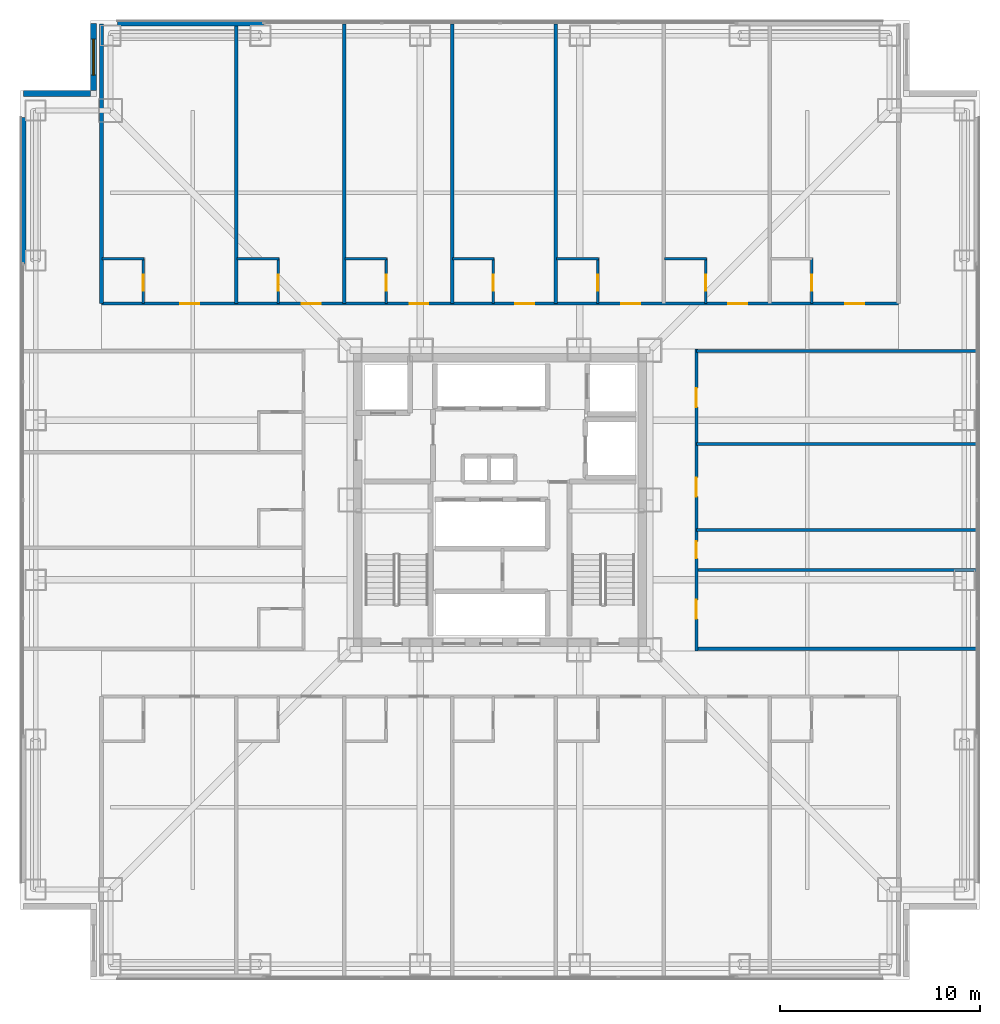
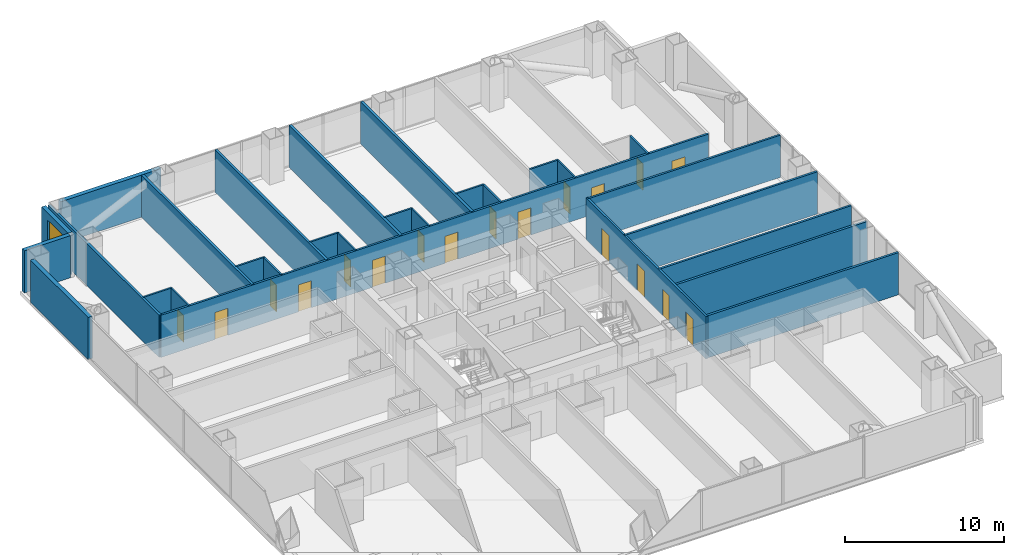
# One storey, part 19 of 23: 29 walls, 18 doors, 1 window, 19 openings.
"""IFC4 building model written with IfcOpenShell, lengths in metres."""

from ifc_helpers import new_model, si_unit, direction, frame, frame_2d, origin, place, context, subcontext, project, spatial, rectangle, extrude, material, layer, layer_set, type_object, element, fill, save


model = new_model("IFC4")

# Units and contexts
model_context = context("Model", 3, precision=1e-05, world=origin(), true_north=direction((0.0, 1.0)))
body_context = subcontext(model_context, "Body", "Model", "MODEL_VIEW")
ifc_project = project(units=[si_unit("LENGTHUNIT", "METRE"), si_unit("AREAUNIT", "SQUARE_METRE"), si_unit("VOLUMEUNIT", "CUBIC_METRE"), si_unit("PLANEANGLEUNIT", "RADIAN"), si_unit("MASSUNIT", "GRAM", prefix="KILO")], contexts=[model_context])

# Site, building, storey
site_placement = place(None, origin())
site = spatial("IfcSite", under=ifc_project, at=site_placement, CompositionType="ELEMENT")
building_placement = place(site_placement, origin())
building = spatial("IfcBuilding", under=site, at=building_placement, Name="Trevonay Congress Spire", CompositionType="ELEMENT")
storey_placement = place(building_placement, frame((0.0, 0.0, 34.0)))
storey = spatial("IfcBuildingStorey", under=building, at=storey_placement, Name="L07", CompositionType="ELEMENT", Elevation=34.0)

# Wall, opening, door
ifc_material_1 = material(Name="Concrete C40/50", Category="concrete")
ifc_layer_1 = layer(ifc_material_1, 0.1201171875, Name="Concrete C40/50")
ifc_layer_set_1 = layer_set([ifc_layer_1], Name="Concrete C40/50")
wall_type_1 = type_object("IfcWallType", Name="WAL-BATH-120", PredefinedType="PLUMBINGWALL", material=ifc_layer_set_1)
wall_1_placement = place(storey_placement, frame((-17.85009765625, 9.830078125, 0.0), z_axis=(0.0, 0.0, 1.0), x_axis=(0.0, 1.0, 0.0)))
wall_1 = element("IfcWall", 1, at=wall_1_placement, inside=storey, type_object=wall_type_1, Name="L07 interior wall WH-L07N-BS1", PredefinedType="PLUMBINGWALL", context=body_context, shape_type="SweptSolid", body=[
    extrude(rectangle(XDim=2.25, YDim=0.1201171875, at=frame_2d((1.125, 0.0))), origin(), (0.0, 0.0, 1.0), 3.25),
])
opening_1_placement = place(wall_1_placement, frame((0.64990234375, 0.0, 0.0)))
opening_1 = element("IfcOpeningElement", 2, at=opening_1_placement, cuts=wall_1, Name="Opening D11", PredefinedType="OPENING", context=body_context, shape_type="SweptSolid", body=[
    extrude(rectangle(XDim=0.800048828125, YDim=2.050048828125, at=frame_2d((0.39990234375, 1.02490234375))), frame((0.0, 0.070068359375, 0.0), z_axis=(0.0, -1.0, 0.0), x_axis=(1.0, 0.0, 0.0)), (0.0, 0.0, 1.0), 0.14013671875),
])
ifc_material_2 = material(Name="Pale Anodised Aluminium EN AW-6063-T6", Category="aluminium")
door_type_1 = type_object("IfcDoorType", Name="DOR-BATH-80", OperationType="NOTDEFINED", PredefinedType="DOOR", material=ifc_material_2)
door_1_placement = place(opening_1_placement, origin())
door_1 = element("IfcDoor", 3, at=door_1_placement, inside=storey, type_object=door_type_1, Name="L07 En-suite Bathroom Door", OperationType="SINGLE_SWING_LEFT", OverallHeight=2.050048828125, OverallWidth=0.800048828125, PredefinedType="DOOR", context=body_context, shape_type="SweptSolid", body=[
    extrude(rectangle(XDim=0.800048828125, YDim=2.050048828125, at=frame_2d((0.39990234375, 1.02490234375))), frame((0.0, 0.02490234375, 0.0), z_axis=(0.0, -1.0, 0.0), x_axis=(1.0, 0.0, 0.0)), (0.0, 0.0, 1.0), 0.050048828125),
])
fill(opening_1, door_1)

# Wall
wall_2_placement = place(storey_placement, frame((-19.919921875, 12.080078125, 0.0), z_axis=(0.0, 0.0, 1.0), x_axis=(1.0, 0.0, 0.0)))
element("IfcWall", 4, at=wall_2_placement, inside=storey, type_object=wall_type_1, Name="L07 interior wall WH-L07N-BF1", PredefinedType="PLUMBINGWALL", context=body_context, shape_type="SweptSolid", body=[
    extrude(rectangle(XDim=2.099853515625, YDim=0.1201171875, at=frame_2d((1.0498046875, 0.0))), origin(), (0.0, 0.0, 1.0), 3.25),
])

# Wall, opening, door
wall_3_placement = place(storey_placement, frame((-11.10009765625, 9.830078125, 0.0), z_axis=(0.0, 0.0, 1.0), x_axis=(0.0, 1.0, 0.0)))
wall_3 = element("IfcWall", 5, at=wall_3_placement, inside=storey, type_object=wall_type_1, Name="L07 interior wall WH-L07N-BS2", PredefinedType="PLUMBINGWALL", context=body_context, shape_type="SweptSolid", body=[
    extrude(rectangle(XDim=2.25, YDim=0.1201171875, at=frame_2d((1.125, 0.0))), origin(), (0.0, 0.0, 1.0), 3.25),
])
opening_2_placement = place(wall_3_placement, frame((0.64990234375, 0.0, 0.0)))
opening_2 = element("IfcOpeningElement", 6, at=opening_2_placement, cuts=wall_3, Name="Opening D11", PredefinedType="OPENING", context=body_context, shape_type="SweptSolid", body=[
    extrude(rectangle(XDim=0.800048828125, YDim=2.050048828125, at=frame_2d((0.39990234375, 1.02490234375))), frame((0.0, 0.070068359375, 0.0), z_axis=(0.0, -1.0, 0.0), x_axis=(1.0, 0.0, 0.0)), (0.0, 0.0, 1.0), 0.14013671875),
])
door_2_placement = place(opening_2_placement, origin())
door_2 = element("IfcDoor", 7, at=door_2_placement, inside=storey, type_object=door_type_1, Name="L07 En-suite Bathroom Door", OperationType="SINGLE_SWING_RIGHT", OverallHeight=2.050048828125, OverallWidth=0.800048828125, PredefinedType="DOOR", context=body_context, shape_type="SweptSolid", body=[
    extrude(rectangle(XDim=0.800048828125, YDim=2.050048828125, at=frame_2d((0.39990234375, 1.02490234375))), frame((0.0, 0.02490234375, 0.0), z_axis=(0.0, -1.0, 0.0), x_axis=(1.0, 0.0, 0.0)), (0.0, 0.0, 1.0), 0.050048828125),
])
fill(opening_2, door_2)

# Wall
wall_4_placement = place(storey_placement, frame((-13.169921875, 12.080078125, 0.0), z_axis=(0.0, 0.0, 1.0), x_axis=(1.0, 0.0, 0.0)))
element("IfcWall", 8, at=wall_4_placement, inside=storey, type_object=wall_type_1, Name="L07 interior wall WH-L07N-BF2", PredefinedType="PLUMBINGWALL", context=body_context, shape_type="SweptSolid", body=[
    extrude(rectangle(XDim=2.099853515625, YDim=0.1201171875, at=frame_2d((1.0498046875, 0.0))), origin(), (0.0, 0.0, 1.0), 3.25),
])

# Wall, opening, door
wall_5_placement = place(storey_placement, frame((-5.699951171875, 9.830078125, 0.0), z_axis=(0.0, 0.0, 1.0), x_axis=(0.0, 1.0, 0.0)))
wall_5 = element("IfcWall", 9, at=wall_5_placement, inside=storey, type_object=wall_type_1, Name="L07 interior wall WH-L07N-BS3", PredefinedType="PLUMBINGWALL", context=body_context, shape_type="SweptSolid", body=[
    extrude(rectangle(XDim=2.25, YDim=0.1201171875, at=frame_2d((1.125, 0.0))), origin(), (0.0, 0.0, 1.0), 3.25),
])
opening_3_placement = place(wall_5_placement, frame((0.64990234375, 0.0, 0.0)))
opening_3 = element("IfcOpeningElement", 10, at=opening_3_placement, cuts=wall_5, Name="Opening D11", PredefinedType="OPENING", context=body_context, shape_type="SweptSolid", body=[
    extrude(rectangle(XDim=0.800048828125, YDim=2.050048828125, at=frame_2d((0.39990234375, 1.02490234375))), frame((0.0, 0.070068359375, 0.0), z_axis=(0.0, -1.0, 0.0), x_axis=(1.0, 0.0, 0.0)), (0.0, 0.0, 1.0), 0.14013671875),
])
door_3_placement = place(opening_3_placement, origin())
door_3 = element("IfcDoor", 11, at=door_3_placement, inside=storey, type_object=door_type_1, Name="L07 En-suite Bathroom Door", OperationType="SINGLE_SWING_LEFT", OverallHeight=2.050048828125, OverallWidth=0.800048828125, PredefinedType="DOOR", context=body_context, shape_type="SweptSolid", body=[
    extrude(rectangle(XDim=0.800048828125, YDim=2.050048828125, at=frame_2d((0.39990234375, 1.02490234375))), frame((0.0, 0.02490234375, 0.0), z_axis=(0.0, -1.0, 0.0), x_axis=(1.0, 0.0, 0.0)), (0.0, 0.0, 1.0), 0.050048828125),
])
fill(opening_3, door_3)

# Wall
wall_6_placement = place(storey_placement, frame((-7.77001953125, 12.080078125, 0.0), z_axis=(0.0, 0.0, 1.0), x_axis=(1.0, 0.0, 0.0)))
element("IfcWall", 12, at=wall_6_placement, inside=storey, type_object=wall_type_1, Name="L07 interior wall WH-L07N-BF3", PredefinedType="PLUMBINGWALL", context=body_context, shape_type="SweptSolid", body=[
    extrude(rectangle(XDim=2.10009765625, YDim=0.1201171875, at=frame_2d((1.050048828125, 0.0))), origin(), (0.0, 0.0, 1.0), 3.25),
])

# Wall, opening, door
wall_7_placement = place(storey_placement, frame((-0.3349609375, 9.830078125, 0.0), z_axis=(0.0, 0.0, 1.0), x_axis=(0.0, 1.0, 0.0)))
wall_7 = element("IfcWall", 13, at=wall_7_placement, inside=storey, type_object=wall_type_1, Name="L07 interior wall WH-L07N-BS4", PredefinedType="PLUMBINGWALL", context=body_context, shape_type="SweptSolid", body=[
    extrude(rectangle(XDim=2.25, YDim=0.1201171875, at=frame_2d((1.125, 0.0))), origin(), (0.0, 0.0, 1.0), 3.25),
])
opening_4_placement = place(wall_7_placement, frame((0.64990234375, 0.0, 0.0)))
opening_4 = element("IfcOpeningElement", 14, at=opening_4_placement, cuts=wall_7, Name="Opening D11", PredefinedType="OPENING", context=body_context, shape_type="SweptSolid", body=[
    extrude(rectangle(XDim=0.800048828125, YDim=2.050048828125, at=frame_2d((0.39990234375, 1.02490234375))), frame((0.0, 0.070068359375, 0.0), z_axis=(0.0, -1.0, 0.0), x_axis=(1.0, 0.0, 0.0)), (0.0, 0.0, 1.0), 0.14013671875),
])
door_4_placement = place(opening_4_placement, origin())
door_4 = element("IfcDoor", 15, at=door_4_placement, inside=storey, type_object=door_type_1, Name="L07 En-suite Bathroom Door", OperationType="SINGLE_SWING_RIGHT", OverallHeight=2.050048828125, OverallWidth=0.800048828125, PredefinedType="DOOR", context=body_context, shape_type="SweptSolid", body=[
    extrude(rectangle(XDim=0.800048828125, YDim=2.050048828125, at=frame_2d((0.39990234375, 1.02490234375))), frame((0.0, 0.02490234375, 0.0), z_axis=(0.0, -1.0, 0.0), x_axis=(1.0, 0.0, 0.0)), (0.0, 0.0, 1.0), 0.050048828125),
])
fill(opening_4, door_4)

# Wall
wall_8_placement = place(storey_placement, frame((-2.3701171875, 12.080078125, 0.0), z_axis=(0.0, 0.0, 1.0), x_axis=(1.0, 0.0, 0.0)))
element("IfcWall", 16, at=wall_8_placement, inside=storey, type_object=wall_type_1, Name="L07 interior wall WH-L07N-BF4", PredefinedType="PLUMBINGWALL", context=body_context, shape_type="SweptSolid", body=[
    extrude(rectangle(XDim=2.065185546875, YDim=0.1201171875, at=frame_2d((1.03271484375, 0.0))), origin(), (0.0, 0.0, 1.0), 3.25),
])

# Wall, opening, door
wall_9_placement = place(storey_placement, frame((4.89990234375, 9.830078125, 0.0), z_axis=(0.0, 0.0, 1.0), x_axis=(0.0, 1.0, 0.0)))
wall_9 = element("IfcWall", 17, at=wall_9_placement, inside=storey, type_object=wall_type_1, Name="L07 interior wall WH-L07N-BS5", PredefinedType="PLUMBINGWALL", context=body_context, shape_type="SweptSolid", body=[
    extrude(rectangle(XDim=2.25, YDim=0.1201171875, at=frame_2d((1.125, 0.0))), origin(), (0.0, 0.0, 1.0), 3.25),
])
opening_5_placement = place(wall_9_placement, frame((0.64990234375, 0.0, 0.0)))
opening_5 = element("IfcOpeningElement", 18, at=opening_5_placement, cuts=wall_9, Name="Opening D11", PredefinedType="OPENING", context=body_context, shape_type="SweptSolid", body=[
    extrude(rectangle(XDim=0.800048828125, YDim=2.050048828125, at=frame_2d((0.39990234375, 1.02490234375))), frame((0.0, 0.070068359375, 0.0), z_axis=(0.0, -1.0, 0.0), x_axis=(1.0, 0.0, 0.0)), (0.0, 0.0, 1.0), 0.14013671875),
])
door_5_placement = place(opening_5_placement, origin())
door_5 = element("IfcDoor", 19, at=door_5_placement, inside=storey, type_object=door_type_1, Name="L07 En-suite Bathroom Door", OperationType="SINGLE_SWING_LEFT", OverallHeight=2.050048828125, OverallWidth=0.800048828125, PredefinedType="DOOR", context=body_context, shape_type="SweptSolid", body=[
    extrude(rectangle(XDim=0.800048828125, YDim=2.050048828125, at=frame_2d((0.39990234375, 1.02490234375))), frame((0.0, 0.02490234375, 0.0), z_axis=(0.0, -1.0, 0.0), x_axis=(1.0, 0.0, 0.0)), (0.0, 0.0, 1.0), 0.050048828125),
])
fill(opening_5, door_5)

# Wall
wall_10_placement = place(storey_placement, frame((2.830078125, 12.080078125, 0.0), z_axis=(0.0, 0.0, 1.0), x_axis=(1.0, 0.0, 0.0)))
element("IfcWall", 20, at=wall_10_placement, inside=storey, type_object=wall_type_1, Name="L07 interior wall WH-L07N-BF5", PredefinedType="PLUMBINGWALL", context=body_context, shape_type="SweptSolid", body=[
    extrude(rectangle(XDim=2.099853515625, YDim=0.1201171875, at=frame_2d((1.0498046875, 0.0))), origin(), (0.0, 0.0, 1.0), 3.25),
])

# Wall, opening, door
wall_11_placement = place(storey_placement, frame((10.300048828125, 9.830078125, 0.0), z_axis=(0.0, 0.0, 1.0), x_axis=(0.0, 1.0, 0.0)))
wall_11 = element("IfcWall", 21, at=wall_11_placement, inside=storey, type_object=wall_type_1, Name="L07 interior wall WH-L07N-BS6", PredefinedType="PLUMBINGWALL", context=body_context, shape_type="SweptSolid", body=[
    extrude(rectangle(XDim=2.25, YDim=0.1201171875, at=frame_2d((1.125, 0.0))), origin(), (0.0, 0.0, 1.0), 3.25),
])
opening_6_placement = place(wall_11_placement, frame((0.64990234375, 0.0, 0.0)))
opening_6 = element("IfcOpeningElement", 22, at=opening_6_placement, cuts=wall_11, Name="Opening D11", PredefinedType="OPENING", context=body_context, shape_type="SweptSolid", body=[
    extrude(rectangle(XDim=0.800048828125, YDim=2.050048828125, at=frame_2d((0.39990234375, 1.02490234375))), frame((0.0, 0.070068359375, 0.0), z_axis=(0.0, -1.0, 0.0), x_axis=(1.0, 0.0, 0.0)), (0.0, 0.0, 1.0), 0.14013671875),
])
door_6_placement = place(opening_6_placement, origin())
door_6 = element("IfcDoor", 23, at=door_6_placement, inside=storey, type_object=door_type_1, Name="L07 En-suite Bathroom Door", OperationType="SINGLE_SWING_RIGHT", OverallHeight=2.050048828125, OverallWidth=0.800048828125, PredefinedType="DOOR", context=body_context, shape_type="SweptSolid", body=[
    extrude(rectangle(XDim=0.800048828125, YDim=2.050048828125, at=frame_2d((0.39990234375, 1.02490234375))), frame((0.0, 0.02490234375, 0.0), z_axis=(0.0, -1.0, 0.0), x_axis=(1.0, 0.0, 0.0)), (0.0, 0.0, 1.0), 0.050048828125),
])
fill(opening_6, door_6)

# Wall
wall_12_placement = place(storey_placement, frame((8.22998046875, 12.080078125, 0.0), z_axis=(0.0, 0.0, 1.0), x_axis=(1.0, 0.0, 0.0)))
element("IfcWall", 24, at=wall_12_placement, inside=storey, type_object=wall_type_1, Name="L07 interior wall WH-L07N-BF6", PredefinedType="PLUMBINGWALL", context=body_context, shape_type="SweptSolid", body=[
    extrude(rectangle(XDim=2.10009765625, YDim=0.1201171875, at=frame_2d((1.050048828125, 0.0))), origin(), (0.0, 0.0, 1.0), 3.25),
])

# Wall, opening, door
wall_13_placement = place(storey_placement, frame((15.60009765625, 9.830078125, 0.0), z_axis=(0.0, 0.0, 1.0), x_axis=(0.0, 1.0, 0.0)))
wall_13 = element("IfcWall", 25, at=wall_13_placement, inside=storey, type_object=wall_type_1, Name="L07 interior wall WH-L07N-BS7", PredefinedType="PLUMBINGWALL", context=body_context, shape_type="SweptSolid", body=[
    extrude(rectangle(XDim=2.25, YDim=0.1201171875, at=frame_2d((1.125, 0.0))), origin(), (0.0, 0.0, 1.0), 3.25),
])
opening_7_placement = place(wall_13_placement, frame((0.64990234375, 0.0, 0.0)))
opening_7 = element("IfcOpeningElement", 26, at=opening_7_placement, cuts=wall_13, Name="Opening D11", PredefinedType="OPENING", context=body_context, shape_type="SweptSolid", body=[
    extrude(rectangle(XDim=0.800048828125, YDim=2.050048828125, at=frame_2d((0.39990234375, 1.02490234375))), frame((0.0, 0.070068359375, 0.0), z_axis=(0.0, -1.0, 0.0), x_axis=(1.0, 0.0, 0.0)), (0.0, 0.0, 1.0), 0.14013671875),
])
door_7_placement = place(opening_7_placement, origin())
door_7 = element("IfcDoor", 27, at=door_7_placement, inside=storey, type_object=door_type_1, Name="L07 En-suite Bathroom Door", OperationType="SINGLE_SWING_LEFT", OverallHeight=2.050048828125, OverallWidth=0.800048828125, PredefinedType="DOOR", context=body_context, shape_type="SweptSolid", body=[
    extrude(rectangle(XDim=0.800048828125, YDim=2.050048828125, at=frame_2d((0.39990234375, 1.02490234375))), frame((0.0, 0.02490234375, 0.0), z_axis=(0.0, -1.0, 0.0), x_axis=(1.0, 0.0, 0.0)), (0.0, 0.0, 1.0), 0.050048828125),
])
fill(opening_7, door_7)

# Wall, openings, doors
ifc_layer_2 = layer(ifc_material_1, 0.14990234375, Name="Concrete C40/50")
ifc_layer_set_2 = layer_set([ifc_layer_2], Name="Concrete C40/50")
wall_type_2 = type_object("IfcWallType", Name="WAL-CORR-150", PredefinedType="PARTITIONING", material=ifc_layer_set_2)
wall_14_placement = place(storey_placement, frame((-19.949951171875, 9.830078125, 0.0), z_axis=(0.0, 0.0, 1.0), x_axis=(1.0, 0.0, 0.0)))
wall_14 = element("IfcWall", 28, at=wall_14_placement, inside=storey, type_object=wall_type_2, Name="L07 interior wall WH-L07N-COR", PredefinedType="PARTITIONING", context=body_context, shape_type="SweptSolid", body=[
    extrude(rectangle(XDim=39.89990234375, YDim=0.14990234375, at=frame_2d((19.949951171875, 0.0))), origin(), (0.0, 0.0, 1.0), 3.25),
])
opening_8_placement = place(wall_14_placement, frame((3.945068359375, 0.0, 0.0)))
opening_8 = element("IfcOpeningElement", 29, at=opening_8_placement, cuts=wall_14, Name="Opening D08", PredefinedType="OPENING", context=body_context, shape_type="SweptSolid", body=[
    extrude(rectangle(XDim=0.949951171875, YDim=2.080078125, at=frame_2d((0.47509765625, 1.0400390625))), frame((0.0, 0.0849609375, 0.0), z_axis=(0.0, -1.0, 0.0), x_axis=(1.0, 0.0, 0.0)), (0.0, 0.0, 1.0), 0.169921875),
])
opening_9_placement = place(wall_14_placement, frame((10.02001953125, 0.0, 0.0)))
opening_9 = element("IfcOpeningElement", 30, at=opening_9_placement, cuts=wall_14, Name="Opening D08", PredefinedType="OPENING", context=body_context, shape_type="SweptSolid", body=[
    extrude(rectangle(XDim=0.949951171875, YDim=2.080078125, at=frame_2d((0.47509765625, 1.0400390625))), frame((0.0, 0.0849609375, 0.0), z_axis=(0.0, -1.0, 0.0), x_axis=(1.0, 0.0, 0.0)), (0.0, 0.0, 1.0), 0.169921875),
])
opening_10_placement = place(wall_14_placement, frame((15.419921875, 0.0, 0.0)))
opening_10 = element("IfcOpeningElement", 31, at=opening_10_placement, cuts=wall_14, Name="Opening D08", PredefinedType="OPENING", context=body_context, shape_type="SweptSolid", body=[
    extrude(rectangle(XDim=0.949951171875, YDim=2.080078125, at=frame_2d((0.47509765625, 1.0400390625))), frame((0.0, 0.0849609375, 0.0), z_axis=(0.0, -1.0, 0.0), x_axis=(1.0, 0.0, 0.0)), (0.0, 0.0, 1.0), 0.169921875),
])
opening_11_placement = place(wall_14_placement, frame((20.702392578125, 0.0, 0.0)))
opening_11 = element("IfcOpeningElement", 32, at=opening_11_placement, cuts=wall_14, Name="Opening D08", PredefinedType="OPENING", context=body_context, shape_type="SweptSolid", body=[
    extrude(rectangle(XDim=0.949951171875, YDim=2.080078125, at=frame_2d((0.47509765625, 1.0400390625))), frame((0.0, 0.0849609375, 0.0), z_axis=(0.0, -1.0, 0.0), x_axis=(1.0, 0.0, 0.0)), (0.0, 0.0, 1.0), 0.169921875),
])
opening_12_placement = place(wall_14_placement, frame((26.02001953125, 0.0, 0.0)))
opening_12 = element("IfcOpeningElement", 33, at=opening_12_placement, cuts=wall_14, Name="Opening D08", PredefinedType="OPENING", context=body_context, shape_type="SweptSolid", body=[
    extrude(rectangle(XDim=0.949951171875, YDim=2.080078125, at=frame_2d((0.47509765625, 1.0400390625))), frame((0.0, 0.0849609375, 0.0), z_axis=(0.0, -1.0, 0.0), x_axis=(1.0, 0.0, 0.0)), (0.0, 0.0, 1.0), 0.169921875),
])
opening_13_placement = place(wall_14_placement, frame((31.3701171875, 0.0, 0.0)))
opening_13 = element("IfcOpeningElement", 34, at=opening_13_placement, cuts=wall_14, Name="Opening D08", PredefinedType="OPENING", context=body_context, shape_type="SweptSolid", body=[
    extrude(rectangle(XDim=0.949951171875, YDim=2.080078125, at=frame_2d((0.47509765625, 1.0400390625))), frame((0.0, 0.0849609375, 0.0), z_axis=(0.0, -1.0, 0.0), x_axis=(1.0, 0.0, 0.0)), (0.0, 0.0, 1.0), 0.169921875),
])
opening_14_placement = place(wall_14_placement, frame((37.2451171875, 0.0, 0.0)))
opening_14 = element("IfcOpeningElement", 35, at=opening_14_placement, cuts=wall_14, Name="Opening D08", PredefinedType="OPENING", context=body_context, shape_type="SweptSolid", body=[
    extrude(rectangle(XDim=0.949951171875, YDim=2.080078125, at=frame_2d((0.47509765625, 1.0400390625))), frame((0.0, 0.0849609375, 0.0), z_axis=(0.0, -1.0, 0.0), x_axis=(1.0, 0.0, 0.0)), (0.0, 0.0, 1.0), 0.169921875),
])
door_type_2 = type_object("IfcDoorType", Name="DOR-SUITE-95", OperationType="NOTDEFINED", PredefinedType="DOOR", material=ifc_material_2)
door_8_placement = place(opening_8_placement, origin())
door_8 = element("IfcDoor", 36, at=door_8_placement, inside=storey, type_object=door_type_2, Name="L07 Corner Hotel Suite Entrance Door", OperationType="SINGLE_SWING_RIGHT", OverallHeight=2.080078125, OverallWidth=0.949951171875, PredefinedType="DOOR", context=body_context, shape_type="SweptSolid", body=[
    extrude(rectangle(XDim=0.949951171875, YDim=2.080078125, at=frame_2d((0.47509765625, 1.0400390625))), frame((0.0, 0.02490234375, 0.0), z_axis=(0.0, -1.0, 0.0), x_axis=(1.0, 0.0, 0.0)), (0.0, 0.0, 1.0), 0.050048828125),
])
fill(opening_8, door_8)
door_9_placement = place(opening_9_placement, origin())
door_9 = element("IfcDoor", 37, at=door_9_placement, inside=storey, type_object=door_type_2, Name="L07 Hotel Guest Room Entrance Door", OperationType="SINGLE_SWING_LEFT", OverallHeight=2.080078125, OverallWidth=0.949951171875, PredefinedType="DOOR", context=body_context, shape_type="SweptSolid", body=[
    extrude(rectangle(XDim=0.949951171875, YDim=2.080078125, at=frame_2d((0.47509765625, 1.0400390625))), frame((0.0, 0.02490234375, 0.0), z_axis=(0.0, -1.0, 0.0), x_axis=(1.0, 0.0, 0.0)), (0.0, 0.0, 1.0), 0.050048828125),
])
fill(opening_9, door_9)
door_10_placement = place(opening_10_placement, origin())
door_10 = element("IfcDoor", 38, at=door_10_placement, inside=storey, type_object=door_type_2, Name="L07 Hotel Guest Room Entrance Door", OperationType="SINGLE_SWING_RIGHT", OverallHeight=2.080078125, OverallWidth=0.949951171875, PredefinedType="DOOR", context=body_context, shape_type="SweptSolid", body=[
    extrude(rectangle(XDim=0.949951171875, YDim=2.080078125, at=frame_2d((0.47509765625, 1.0400390625))), frame((0.0, 0.02490234375, 0.0), z_axis=(0.0, -1.0, 0.0), x_axis=(1.0, 0.0, 0.0)), (0.0, 0.0, 1.0), 0.050048828125),
])
fill(opening_10, door_10)
door_11_placement = place(opening_11_placement, origin())
door_11 = element("IfcDoor", 39, at=door_11_placement, inside=storey, type_object=door_type_2, Name="L07 Hotel Guest Room Entrance Door", OperationType="SINGLE_SWING_LEFT", OverallHeight=2.080078125, OverallWidth=0.949951171875, PredefinedType="DOOR", context=body_context, shape_type="SweptSolid", body=[
    extrude(rectangle(XDim=0.949951171875, YDim=2.080078125, at=frame_2d((0.47509765625, 1.0400390625))), frame((0.0, 0.02490234375, 0.0), z_axis=(0.0, -1.0, 0.0), x_axis=(1.0, 0.0, 0.0)), (0.0, 0.0, 1.0), 0.050048828125),
])
fill(opening_11, door_11)
door_12_placement = place(opening_12_placement, origin())
door_12 = element("IfcDoor", 40, at=door_12_placement, inside=storey, type_object=door_type_2, Name="L07 Hotel Guest Room Entrance Door", OperationType="SINGLE_SWING_RIGHT", OverallHeight=2.080078125, OverallWidth=0.949951171875, PredefinedType="DOOR", context=body_context, shape_type="SweptSolid", body=[
    extrude(rectangle(XDim=0.949951171875, YDim=2.080078125, at=frame_2d((0.47509765625, 1.0400390625))), frame((0.0, 0.02490234375, 0.0), z_axis=(0.0, -1.0, 0.0), x_axis=(1.0, 0.0, 0.0)), (0.0, 0.0, 1.0), 0.050048828125),
])
fill(opening_12, door_12)
door_13_placement = place(opening_13_placement, origin())
door_13 = element("IfcDoor", 41, at=door_13_placement, inside=storey, type_object=door_type_2, Name="L07 Hotel Guest Room Entrance Door", OperationType="SINGLE_SWING_LEFT", OverallHeight=2.080078125, OverallWidth=0.949951171875, PredefinedType="DOOR", context=body_context, shape_type="SweptSolid", body=[
    extrude(rectangle(XDim=0.949951171875, YDim=2.080078125, at=frame_2d((0.47509765625, 1.0400390625))), frame((0.0, 0.02490234375, 0.0), z_axis=(0.0, -1.0, 0.0), x_axis=(1.0, 0.0, 0.0)), (0.0, 0.0, 1.0), 0.050048828125),
])
fill(opening_13, door_13)
door_14_placement = place(opening_14_placement, origin())
door_14 = element("IfcDoor", 42, at=door_14_placement, inside=storey, type_object=door_type_2, Name="L07 Corner Hotel Suite Entrance Door", OperationType="SINGLE_SWING_RIGHT", OverallHeight=2.080078125, OverallWidth=0.949951171875, PredefinedType="DOOR", context=body_context, shape_type="SweptSolid", body=[
    extrude(rectangle(XDim=0.949951171875, YDim=2.080078125, at=frame_2d((0.47509765625, 1.0400390625))), frame((0.0, 0.02490234375, 0.0), z_axis=(0.0, -1.0, 0.0), x_axis=(1.0, 0.0, 0.0)), (0.0, 0.0, 1.0), 0.050048828125),
])
fill(opening_14, door_14)

wall_15_placement = place(storey_placement, frame((9.830078125, -7.570068359375, 0.0), z_axis=(0.0, 0.0, 1.0), x_axis=(0.0, 1.0, 0.0)))
wall_15 = element("IfcWall", 43, at=wall_15_placement, inside=storey, type_object=wall_type_2, Name="L07 interior wall WP-L07E-COR", PredefinedType="PARTITIONING", context=body_context, shape_type="SweptSolid", body=[
    extrude(rectangle(XDim=15.14013671875, YDim=0.14990234375, at=frame_2d((7.570068359375, 0.0))), origin(), (0.0, 0.0, 1.0), 3.25),
])
opening_15_placement = place(wall_15_placement, frame((1.6201171875, 0.0, 0.0)))
opening_15 = element("IfcOpeningElement", 44, at=opening_15_placement, cuts=wall_15, Name="Opening D07", PredefinedType="OPENING", context=body_context, shape_type="SweptSolid", body=[
    extrude(rectangle(XDim=0.949951171875, YDim=2.06005859375, at=frame_2d((0.47509765625, 1.030029296875))), frame((0.0, 0.0849609375, 0.0), z_axis=(0.0, -1.0, 0.0), x_axis=(1.0, 0.0, 0.0)), (0.0, 0.0, 1.0), 0.169921875),
])
opening_16_placement = place(wall_15_placement, frame((4.64501953125, 0.0, 0.0)))
opening_16 = element("IfcOpeningElement", 45, at=opening_16_placement, cuts=wall_15, Name="Opening D10", PredefinedType="OPENING", context=body_context, shape_type="SweptSolid", body=[
    extrude(rectangle(XDim=0.85009765625, YDim=2.050048828125, at=frame_2d((0.425048828125, 1.02490234375))), frame((0.0, 0.0849609375, 0.0), z_axis=(0.0, -1.0, 0.0), x_axis=(1.0, 0.0, 0.0)), (0.0, 0.0, 1.0), 0.169921875),
])
opening_17_placement = place(wall_15_placement, frame((7.7451171875, 0.0, 0.0)))
opening_17 = element("IfcOpeningElement", 46, at=opening_17_placement, cuts=wall_15, Name="Opening D07", PredefinedType="OPENING", context=body_context, shape_type="SweptSolid", body=[
    extrude(rectangle(XDim=0.949951171875, YDim=2.06005859375, at=frame_2d((0.47509765625, 1.030029296875))), frame((0.0, 0.0849609375, 0.0), z_axis=(0.0, -1.0, 0.0), x_axis=(1.0, 0.0, 0.0)), (0.0, 0.0, 1.0), 0.169921875),
])
opening_18_placement = place(wall_15_placement, frame((12.219970703125, 0.0, 0.0)))
opening_18 = element("IfcOpeningElement", 47, at=opening_18_placement, cuts=wall_15, Name="Opening D07", PredefinedType="OPENING", context=body_context, shape_type="SweptSolid", body=[
    extrude(rectangle(XDim=0.949951171875, YDim=2.06005859375, at=frame_2d((0.47509765625, 1.030029296875))), frame((0.0, 0.0849609375, 0.0), z_axis=(0.0, -1.0, 0.0), x_axis=(1.0, 0.0, 0.0)), (0.0, 0.0, 1.0), 0.169921875),
])
door_type_3 = type_object("IfcDoorType", Name="DOR-OFFICE-95", OperationType="NOTDEFINED", PredefinedType="DOOR", material=ifc_material_2)
door_15_placement = place(opening_15_placement, origin())
door_15 = element("IfcDoor", 48, at=door_15_placement, inside=storey, type_object=door_type_3, Name="L07 Housekeeping and Linen Room Door", OperationType="SINGLE_SWING_LEFT", OverallHeight=2.06005859375, OverallWidth=0.949951171875, PredefinedType="DOOR", context=body_context, shape_type="SweptSolid", body=[
    extrude(rectangle(XDim=0.949951171875, YDim=2.06005859375, at=frame_2d((0.47509765625, 1.030029296875))), frame((0.0, 0.02490234375, 0.0), z_axis=(0.0, -1.0, 0.0), x_axis=(1.0, 0.0, 0.0)), (0.0, 0.0, 1.0), 0.050048828125),
])
fill(opening_15, door_15)
door_16_placement = place(opening_17_placement, origin())
door_16 = element("IfcDoor", 49, at=door_16_placement, inside=storey, type_object=door_type_3, Name="L07 Hotel Room-Service Pantry Door", OperationType="SINGLE_SWING_LEFT", OverallHeight=2.06005859375, OverallWidth=0.949951171875, PredefinedType="DOOR", context=body_context, shape_type="SweptSolid", body=[
    extrude(rectangle(XDim=0.949951171875, YDim=2.06005859375, at=frame_2d((0.47509765625, 1.030029296875))), frame((0.0, 0.02490234375, 0.0), z_axis=(0.0, -1.0, 0.0), x_axis=(1.0, 0.0, 0.0)), (0.0, 0.0, 1.0), 0.050048828125),
])
fill(opening_17, door_16)
door_17_placement = place(opening_18_placement, origin())
door_17 = element("IfcDoor", 50, at=door_17_placement, inside=storey, type_object=door_type_3, Name="L07 Guest Concierge Desk Office Door", OperationType="SINGLE_SWING_RIGHT", OverallHeight=2.06005859375, OverallWidth=0.949951171875, PredefinedType="DOOR", context=body_context, shape_type="SweptSolid", body=[
    extrude(rectangle(XDim=0.949951171875, YDim=2.06005859375, at=frame_2d((0.47509765625, 1.030029296875))), frame((0.0, 0.02490234375, 0.0), z_axis=(0.0, -1.0, 0.0), x_axis=(1.0, 0.0, 0.0)), (0.0, 0.0, 1.0), 0.050048828125),
])
fill(opening_18, door_17)
door_type_4 = type_object("IfcDoorType", Name="DOR-WC-85", OperationType="NOTDEFINED", PredefinedType="DOOR", material=ifc_material_2)
door_18_placement = place(opening_16_placement, origin())
door_18 = element("IfcDoor", 51, at=door_18_placement, inside=storey, type_object=door_type_4, Name="L07 Accessible WC Door", OperationType="SINGLE_SWING_RIGHT", OverallHeight=2.050048828125, OverallWidth=0.85009765625, PredefinedType="DOOR", context=body_context, shape_type="SweptSolid", body=[
    extrude(rectangle(XDim=0.85009765625, YDim=2.050048828125, at=frame_2d((0.425048828125, 1.02490234375))), frame((0.0, 0.02490234375, 0.0), z_axis=(0.0, -1.0, 0.0), x_axis=(1.0, 0.0, 0.0)), (0.0, 0.0, 1.0), 0.050048828125),
])
fill(opening_16, door_18)

# Walls
ifc_material_3 = material(Name="Precast concrete C40/50", Category="concrete")
ifc_layer_3 = layer(ifc_material_3, 0.300048828125, Name="Precast concrete C40/50")
ifc_layer_set_3 = layer_set([ifc_layer_3], Name="Precast concrete C40/50")
wall_type_3 = type_object("IfcWallType", Name="WAL-EXT-PRECAST-300", PredefinedType="SOLIDWALL", material=ifc_layer_set_3)
for number, where, z_axis, x_axis, name in (
    (52, (-19.14990234375, 23.8798828125, 0.0), (0.0, 0.0, 1.0), (1.0, 0.0, 0.0), "L07 NL braced-bay exterior pier wall"),
    (53, (-23.8798828125, 11.85009765625, 0.0), (0.0, 0.0, 1.0), (0.0, 1.0, 0.0), "L07 WR braced-bay exterior pier wall"),
):
    element("IfcWall", number, at=place(storey_placement, frame(where, z_axis=z_axis, x_axis=x_axis)), inside=storey, type_object=wall_type_3, Name=name, PredefinedType="SOLIDWALL", context=body_context, shape_type="SweptSolid", body=[
        extrude(rectangle(XDim=7.2998046875, YDim=0.300048828125, at=frame_2d((3.64990234375, 0.0))), origin(), (0.0, 0.0, 1.0), 3.25),
    ])

# Wall, opening, window
wall_16_placement = place(storey_placement, frame((-20.35009765625, 23.85009765625, 0.0), z_axis=(0.0, 0.0, 1.0), x_axis=(0.0, -1.0, 0.0)))
wall_16 = element("IfcWall", 54, at=wall_16_placement, inside=storey, type_object=wall_type_3, Name="L07 NW re-entrant notch exterior wall 1", PredefinedType="SOLIDWALL", context=body_context, shape_type="SweptSolid", body=[
    extrude(rectangle(XDim=3.35009765625, YDim=0.300048828125, at=frame_2d((1.675048828125, 0.0))), origin(), (0.0, 0.0, 1.0), 3.25),
])
opening_19_placement = place(wall_16_placement, frame((0.77490234375, 0.0, 0.89990234375)))
opening_19 = element("IfcOpeningElement", 55, at=opening_19_placement, cuts=wall_16, Name="Opening WN01", PredefinedType="OPENING", context=body_context, shape_type="SweptSolid", body=[
    extrude(rectangle(XDim=1.800048828125, YDim=1.800048828125, at=frame_2d((0.89990234375, 0.89990234375))), frame((0.0, 0.16015625, 0.0), z_axis=(0.0, -1.0, 0.0), x_axis=(1.0, 0.0, 0.0)), (0.0, 0.0, 1.0), 0.320068359375),
])
ifc_material_4 = material(Name="Insulated Low-E Vision Glass IGU", Category="glass")
window_type = type_object("IfcWindowType", Name="WIN-HOTEL-180X180", PartitioningType="SINGLE_PANEL", PredefinedType="WINDOW", material=ifc_material_4)
window_placement = place(opening_19_placement, origin())
window = element("IfcWindow", 56, at=window_placement, inside=storey, type_object=window_type, Name="L07 NW corner notch window", OverallHeight=1.800048828125, OverallWidth=1.800048828125, PartitioningType="SINGLE_PANEL", PredefinedType="WINDOW", context=body_context, shape_type="SweptSolid", body=[
    extrude(rectangle(XDim=1.800048828125, YDim=1.800048828125, at=frame_2d((0.89990234375, 0.89990234375))), frame((0.0, 0.030029296875, 0.0), z_axis=(0.0, -1.0, 0.0), x_axis=(1.0, 0.0, 0.0)), (0.0, 0.0, 1.0), 0.06005859375),
])
fill(opening_19, window)

# Walls
wall_17_placement = place(storey_placement, frame((-23.85009765625, 20.35009765625, 0.0), z_axis=(0.0, 0.0, 1.0), x_axis=(1.0, 0.0, 0.0)))
element("IfcWall", 57, at=wall_17_placement, inside=storey, type_object=wall_type_3, Name="L07 NW re-entrant notch exterior wall 2", PredefinedType="SOLIDWALL", context=body_context, shape_type="SweptSolid", body=[
    extrude(rectangle(XDim=3.35009765625, YDim=0.300048828125, at=frame_2d((1.675048828125, 0.0))), origin(), (0.0, 0.0, 1.0), 3.25),
])
ifc_layer_4 = layer(ifc_material_1, 0.179931640625, Name="Concrete C40/50")
ifc_layer_set_4 = layer_set([ifc_layer_4], Name="Concrete C40/50")
wall_type_4 = type_object("IfcWallType", Name="WAL-HOTEL-180", PredefinedType="PARTITIONING", material=ifc_layer_set_4)
for number, where, z_axis, x_axis, name in (
    (58, (-19.949951171875, 9.830078125, 0.0), (0.0, 0.0, 1.0), (0.0, 1.0, 0.0), "L07 interior wall WH-L07N-DIV1"),
    (59, (-13.199951171875, 9.830078125, 0.0), (0.0, 0.0, 1.0), (0.0, 1.0, 0.0), "L07 interior wall WH-L07N-DIV2"),
    (60, (-7.800048828125, 9.830078125, 0.0), (0.0, 0.0, 1.0), (0.0, 1.0, 0.0), "L07 interior wall WH-L07N-DIV3"),
    (61, (-2.39990234375, 9.830078125, 0.0), (0.0, 0.0, 1.0), (0.0, 1.0, 0.0), "L07 interior wall WH-L07N-DIV4"),
    (62, (2.800048828125, 9.830078125, 0.0), (0.0, 0.0, 1.0), (0.0, 1.0, 0.0), "L07 interior wall WH-L07N-DIV5"),
):
    element("IfcWall", number, at=place(storey_placement, frame(where, z_axis=z_axis, x_axis=x_axis)), inside=storey, type_object=wall_type_4, Name=name, PredefinedType="PARTITIONING", context=body_context, shape_type="SweptSolid", body=[
        extrude(rectangle(XDim=13.989990234375, YDim=0.179931640625, at=frame_2d((6.9951171875, 0.0))), origin(), (0.0, 0.0, 1.0), 3.25),
    ])
ifc_layer_5 = layer(ifc_material_1, 0.14990234375, Name="Concrete C40/50")
ifc_layer_set_5 = layer_set([ifc_layer_5], Name="Concrete C40/50")
wall_type_5 = type_object("IfcWallType", Name="WAL-PART-150", PredefinedType="PARTITIONING", material=ifc_layer_set_5)
for number, where, z_axis, x_axis, name in (
    (63, (9.830078125, -1.5, 0.0), (0.0, 0.0, 1.0), (1.0, 0.0, 0.0), "L07 interior wall WP-L07E-DIV3"),
    (64, (9.830078125, 2.800048828125, 0.0), (0.0, 0.0, 1.0), (1.0, 0.0, 0.0), "L07 interior wall WP-L07E-DIV4"),
    (65, (9.830078125, 7.449951171875, 0.0), (0.0, 0.0, 1.0), (1.0, 0.0, 0.0), "L07 interior wall WP-L07E-DIV5"),
):
    element("IfcWall", number, at=place(storey_placement, frame(where, z_axis=z_axis, x_axis=x_axis)), inside=storey, type_object=wall_type_5, Name=name, PredefinedType="PARTITIONING", context=body_context, shape_type="SweptSolid", body=[
        extrude(rectangle(XDim=13.989990234375, YDim=0.14990234375, at=frame_2d((6.9951171875, 0.0))), origin(), (0.0, 0.0, 1.0), 3.25),
    ])
ifc_layer_6 = layer(ifc_material_1, 0.1650390625, Name="Concrete C40/50")
ifc_layer_set_6 = layer_set([ifc_layer_6], Name="Concrete C40/50")
wall_type_6 = type_object("IfcWallType", Name="WAL-WET-165", PredefinedType="PLUMBINGWALL", material=ifc_layer_set_6)
for number, where, z_axis, x_axis, name in (
    (66, (9.830078125, -7.449951171875, 0.0), (0.0, 0.0, 1.0), (1.0, 0.0, 0.0), "L07 interior wall WP-L07E-DIV1"),
    (67, (9.830078125, -3.5, 0.0), (0.0, 0.0, 1.0), (1.0, 0.0, 0.0), "L07 interior wall WP-L07E-DIV2"),
):
    element("IfcWall", number, at=place(storey_placement, frame(where, z_axis=z_axis, x_axis=x_axis)), inside=storey, type_object=wall_type_6, Name=name, PredefinedType="PLUMBINGWALL", context=body_context, shape_type="SweptSolid", body=[
        extrude(rectangle(XDim=13.989990234375, YDim=0.1650390625, at=frame_2d((6.9951171875, 0.0))), origin(), (0.0, 0.0, 1.0), 3.25),
    ])

save(model, "model.ifc")
